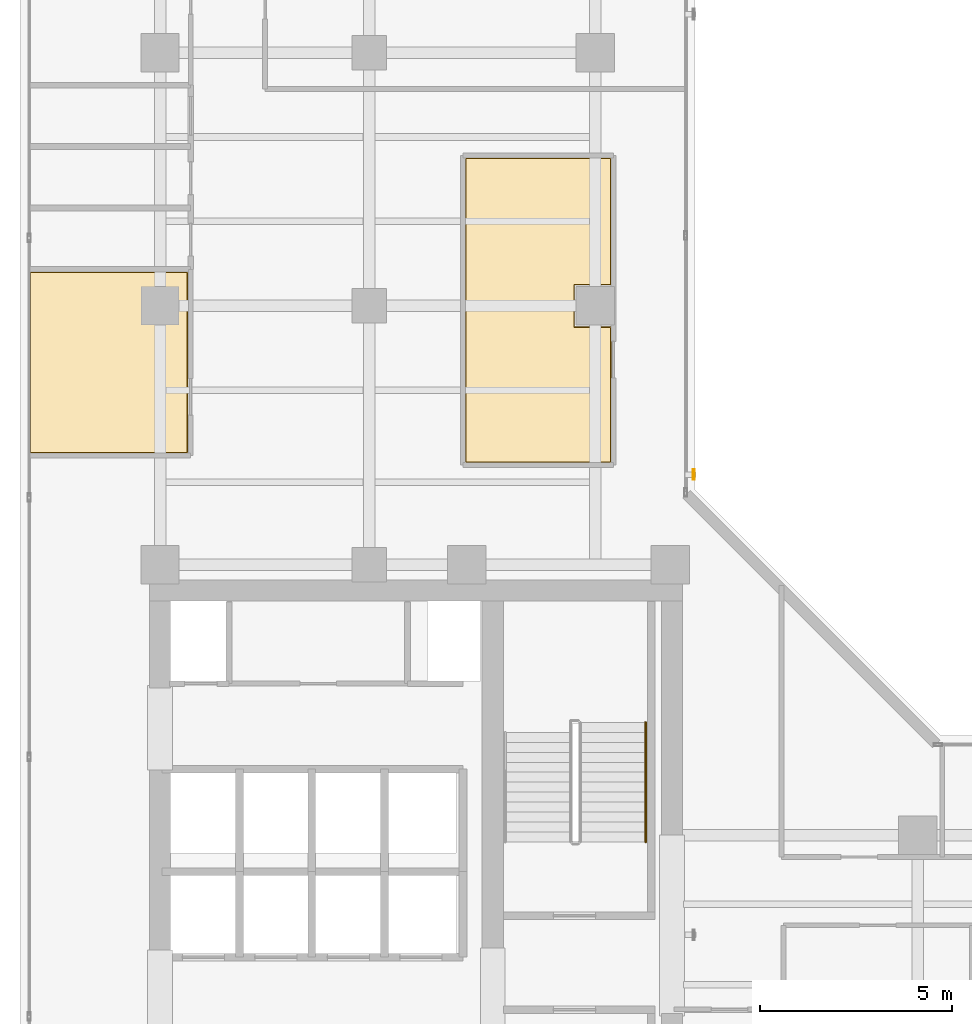
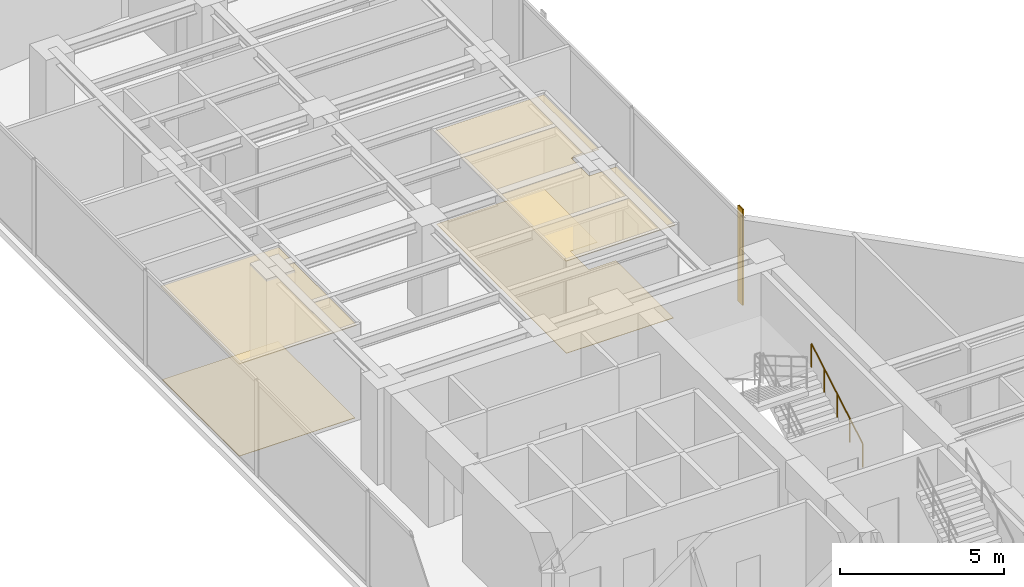
# One storey, part 22 of 23: 4 coverings, 1 railing, 1 shading device.
"""IFC4 building model written with IfcOpenShell, lengths in metres."""

from ifc_helpers import new_model, si_unit, direction, frame, origin, origin_2d, place, context, subcontext, project, spatial, polyline, hollow_rectangle, circle, outline, extrude, material, layer, layer_set, material_profile, profile_set, type_object, element, save


model = new_model("IFC4")

# Units and contexts
model_context = context("Model", 3, precision=1e-05, world=origin(), true_north=direction((0.0, 1.0)))
body_context = subcontext(model_context, "Body", "Model", "MODEL_VIEW")
ifc_project = project(units=[si_unit("LENGTHUNIT", "METRE"), si_unit("AREAUNIT", "SQUARE_METRE"), si_unit("VOLUMEUNIT", "CUBIC_METRE"), si_unit("PLANEANGLEUNIT", "RADIAN"), si_unit("MASSUNIT", "GRAM", prefix="KILO")], contexts=[model_context])

# Site, building, storey
site_placement = place(None, origin())
site = spatial("IfcSite", under=ifc_project, at=site_placement, CompositionType="ELEMENT")
building_placement = place(site_placement, origin())
building = spatial("IfcBuilding", under=site, at=building_placement, Name="Kolvaren Waterfront Exchange", CompositionType="ELEMENT")
storey_placement = place(building_placement, frame((0.0, 0.0, 215.89990234375)))
storey = spatial("IfcBuildingStorey", under=building, at=storey_placement, Name="L55", CompositionType="ELEMENT", Elevation=215.89990234375)

# Coverings
ifc_material_1 = material(Name="Mineral fibre acoustic ceiling tile")
ifc_layer_1 = layer(ifc_material_1, 0.02490234375, Name="Mineral fibre acoustic ceiling tile")
ifc_layer_set_1 = layer_set([ifc_layer_1], Name="Mineral fibre acoustic ceiling tile")
covering_type_1 = type_object("IfcCoveringType", Name="ARC-CEIL-ACOUSTIC-25", PredefinedType="CEILING", material=ifc_layer_set_1)
covering_1_placement = place(storey_placement, frame((0.0, 0.0, 3.445068359375)))
element("IfcCovering", 1, at=covering_1_placement, inside=storey, type_object=covering_type_1, Name="L55 acoustic suspended ceiling 1", PredefinedType="CEILING", context=body_context, shape_type="SweptSolid", body=[
    extrude(outline(polyline([(19.22509765625, 30.659912109375), (18.260009765625, 30.659912109375), (18.260009765625, 31.739990234375), (19.22509765625, 31.739990234375), (19.22509765625, 35.074951171875), (15.39501953125, 35.074951171875), (15.39501953125, 27.094970703125), (19.22509765625, 27.094970703125), (19.22509765625, 30.659912109375)])), origin(), (0.0, 0.0, 1.0), 0.025146484375),
])
covering_2_placement = place(storey_placement, frame((0.0, 0.0, 3.445068359375)))
element("IfcCovering", 2, at=covering_2_placement, inside=storey, type_object=covering_type_1, Name="L55 acoustic suspended ceiling 2", PredefinedType="CEILING", context=body_context, shape_type="SweptSolid", body=[
    extrude(outline(polyline([(8.18505859375, 27.344970703125), (8.18505859375, 32.10498046875), (4.044921875, 32.10498046875), (4.044921875, 27.344970703125), (8.18505859375, 27.344970703125)])), origin(), (0.0, 0.0, 1.0), 0.025146484375),
])

# Shading device
ifc_material_2 = material(Name="Anodised bronze aluminium 6063-T6", Category="aluminium")
ifc_material_profile = material_profile(ifc_material_2, hollow_rectangle(XDim=0.054931640625, YDim=0.280029296875, WallThickness=0.00439453125, at=origin_2d()), Name="BRZ-FIN-280x55x4.5")
ifc_profile_set = profile_set([ifc_material_profile], Name="Anodised bronze aluminium 6063-T6")
shading_device_type = type_object("IfcShadingDeviceType", Name="ARC-FIN-280", PredefinedType="USERDEFINED", material=ifc_profile_set)
shading_device_placement = place(storey_placement, frame((21.360107421875, 26.800048828125, 0.0), z_axis=(0.0, 0.0, 1.0), x_axis=(1.0, 0.0, 0.0)))
element("IfcShadingDevice", 3, at=shading_device_placement, inside=storey, type_object=shading_device_type, Name="L55 anodised bronze solar shading fin FIN-L55-E2", ObjectType="SOLAR FIN", PredefinedType="USERDEFINED", context=body_context, shape_type="SweptSolid", body=[
    extrude(hollow_rectangle(XDim=0.054931640625, YDim=0.280029296875, WallThickness=0.00439453125, at=origin_2d()), origin(), (0.0, 0.0, 1.0), 3.56005859375),
])

# Coverings
ifc_material_3 = material(Name="Slip-resistant porcelain tile")
ifc_layer_2 = layer(ifc_material_3, 0.014892578125, Name="Slip-resistant porcelain tile")
ifc_layer_set_2 = layer_set([ifc_layer_2], Name="Slip-resistant porcelain tile")
covering_type_2 = type_object("IfcCoveringType", Name="ARC-FLR-PORC-15", PredefinedType="FLOORING", material=ifc_layer_set_2)
covering_3_placement = place(storey_placement, origin())
element("IfcCovering", 4, at=covering_3_placement, inside=storey, type_object=covering_type_2, Name="L55 floor finish 1", PredefinedType="FLOORING", context=body_context, shape_type="SweptSolid", body=[
    extrude(outline(polyline([(15.429931640625, 35.0400390625), (15.429931640625, 27.1298828125), (19.18994140625, 27.1298828125), (19.18994140625, 30.639892578125), (18.239990234375, 30.639892578125), (18.239990234375, 31.760009765625), (19.18994140625, 31.760009765625), (19.18994140625, 35.0400390625), (15.429931640625, 35.0400390625)])), origin(), (0.0, 0.0, 1.0), 0.01513671875),
])
covering_4_placement = place(storey_placement, origin())
element("IfcCovering", 5, at=covering_4_placement, inside=storey, type_object=covering_type_2, Name="L55 floor finish 2", PredefinedType="FLOORING", context=body_context, shape_type="SweptSolid", body=[
    extrude(outline(polyline([(4.080078125, 32.070068359375), (4.080078125, 27.3798828125), (8.14990234375, 27.3798828125), (8.14990234375, 32.070068359375), (4.080078125, 32.070068359375)])), origin(), (0.0, 0.0, 1.0), 0.01513671875),
])

# Railing
ifc_material_4 = material(Name="Stainless steel 316", Category="steel")
railing_type = type_object("IfcRailingType", Name="ARC-HANDRAIL-900", PredefinedType="HANDRAIL", material=ifc_material_4)
railing_placement = place(storey_placement, frame((20.110107421875, 17.219970703125, 0.152099609375)))
element("IfcRailing", 6, at=railing_placement, inside=storey, type_object=railing_type, Name="L55 ST2 stair handrail 1", PredefinedType="HANDRAIL", context=body_context, shape_type="SweptSolid", body=[
    extrude(circle(Radius=0.02392578125, at=origin_2d()), frame((0.0, 0.0, 0.8759765625), z_axis=(0.0, 0.86330811405, 0.504677223793), x_axis=(-1.0, 0.0, 0.0)), (0.0, 0.0, 1.0), 3.6142578125),
    extrude(circle(Radius=0.02099609375, at=origin_2d()), origin(), (0.0, 0.0, 1.0), 0.851806640625),
    extrude(circle(Radius=0.02099609375, at=origin_2d()), frame((0.0, 0.780029296875, 0.4560546875)), (0.0, 0.0, 1.0), 0.851806640625),
    extrude(circle(Radius=0.02099609375, at=origin_2d()), frame((0.0, 1.56005859375, 0.912109375)), (0.0, 0.0, 1.0), 0.851806640625),
    extrude(circle(Radius=0.02099609375, at=origin_2d()), frame((0.0, 2.340087890625, 1.367919921875)), (0.0, 0.0, 1.0), 0.851806640625),
    extrude(circle(Radius=0.02099609375, at=origin_2d()), frame((0.0, 3.1201171875, 1.823974609375)), (0.0, 0.0, 1.0), 0.851806640625),
])

save(model, "model.ifc")
